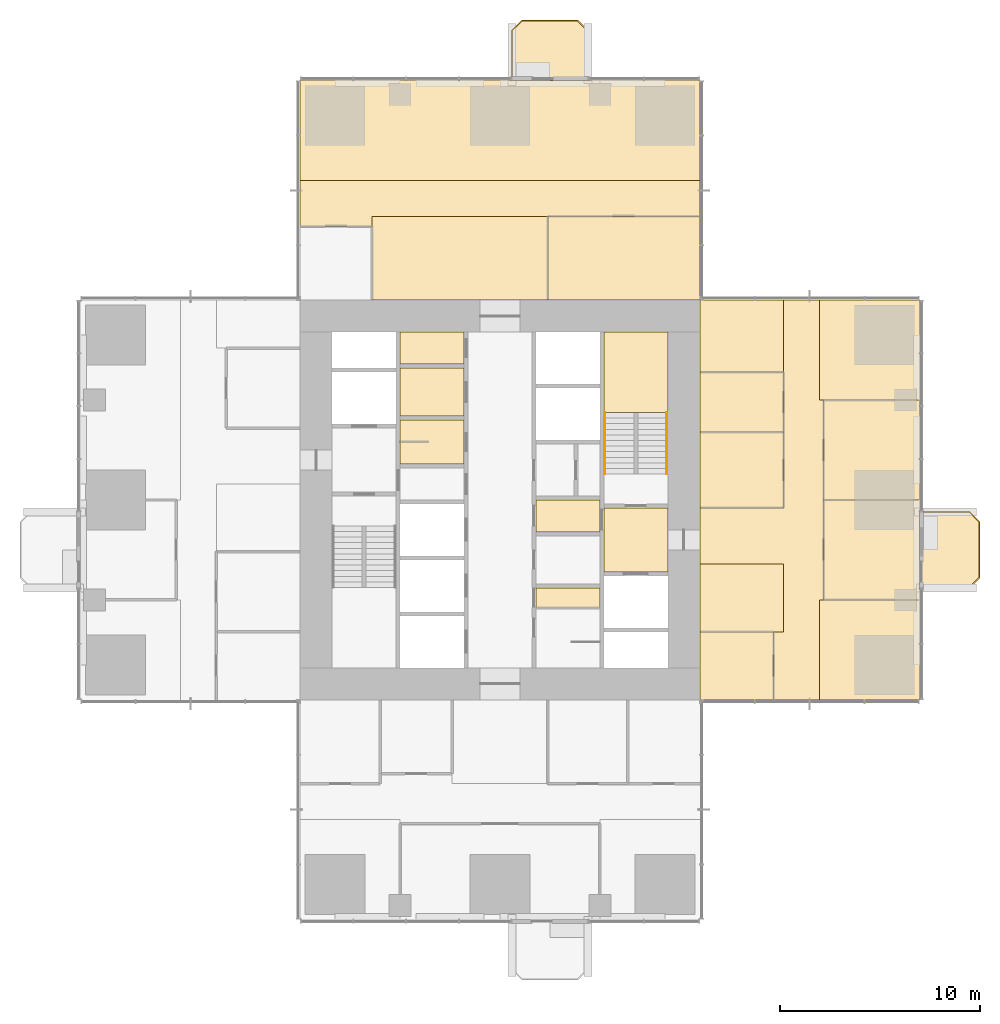
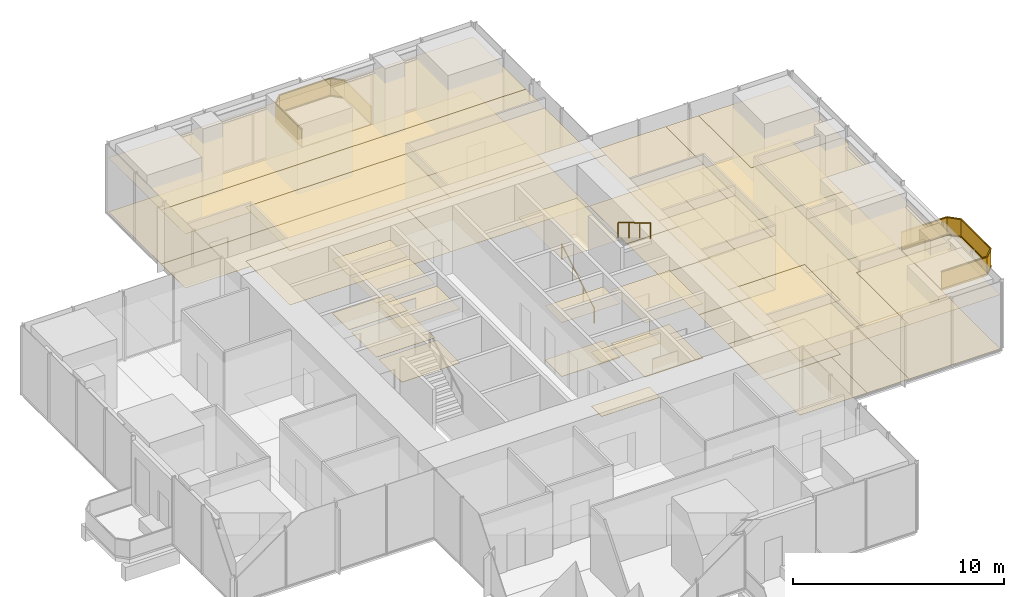
# One storey, part 12 of 13: 43 coverings, 4 railings.
"""IFC4 building model written with IfcOpenShell, lengths in metres."""

from ifc_helpers import new_model, si_unit, direction, frame, origin, origin_2d, place, context, subcontext, project, spatial, polyline, rectangle, circle, outline, extrude, material, layer, layer_set, type_object, element, save


model = new_model("IFC4")

# Units and contexts
model_context = context("Model", 3, precision=1e-05, world=origin(), true_north=direction((0.0, 1.0)))
body_context = subcontext(model_context, "Body", "Model", "MODEL_VIEW")
ifc_project = project(units=[si_unit("LENGTHUNIT", "METRE"), si_unit("AREAUNIT", "SQUARE_METRE"), si_unit("VOLUMEUNIT", "CUBIC_METRE"), si_unit("PLANEANGLEUNIT", "RADIAN"), si_unit("MASSUNIT", "GRAM", prefix="KILO")], contexts=[model_context])

# Site, building, storey
site_placement = place(None, origin())
site = spatial("IfcSite", under=ifc_project, at=site_placement, CompositionType="ELEMENT")
building_placement = place(site_placement, origin())
building = spatial("IfcBuilding", under=site, at=building_placement, Name="Svetlomir Tower", CompositionType="ELEMENT")
storey_placement = place(building_placement, frame((0.0, 0.0, 144.5)))
storey = spatial("IfcBuildingStorey", under=building, at=storey_placement, Name="L34", CompositionType="ELEMENT", Elevation=144.5)

# Railings
ifc_material_1 = material(Name="Bronze anodised aluminium and laminated glass", Category="aluminium")
railing_type_1 = type_object("IfcRailingType", Name="BALCONY GUARD GR1 1100", PredefinedType="GUARDRAIL", material=ifc_material_1)
railing_1_placement = place(storey_placement, frame((42.0, 16.60009765625, 0.0)))
element("IfcRailing", 1, at=railing_1_placement, inside=storey, type_object=railing_type_1, Name="Balcony guard E L34", PredefinedType="GUARDRAIL", context=body_context, shape_type="SweptSolid", body=[
    extrude(rectangle(XDim=0.06005859375, YDim=0.10009765625, at=origin_2d()), frame((0.0, 0.0, 0.050048828125), z_axis=(1.0, 0.0, 0.0), x_axis=(0.0, 1.0, 0.0)), (0.0, 0.0, 1.0), 2.5),
    extrude(rectangle(XDim=0.021484375, YDim=0.960205078125, at=origin_2d()), frame((0.0, 0.0, 0.580078125), z_axis=(1.0, 0.0, 0.0), x_axis=(0.0, 1.0, 0.0)), (0.0, 0.0, 1.0), 2.5),
    extrude(rectangle(XDim=0.06005859375, YDim=0.0400390625, at=origin_2d()), frame((0.0, 0.0, 1.080078125), z_axis=(1.0, 0.0, 0.0), x_axis=(0.0, 1.0, 0.0)), (0.0, 0.0, 1.0), 2.5),
    extrude(rectangle(XDim=0.06005859375, YDim=0.10009765625, at=origin_2d()), frame((2.5, 0.0, 0.050048828125), z_axis=(0.707106781187, 0.707106781187, 0.0), x_axis=(-0.707106781187, 0.707106781187, 0.0)), (0.0, 0.0, 1.0), 0.70703125),
    extrude(rectangle(XDim=0.021484375, YDim=0.960205078125, at=origin_2d()), frame((2.5, 0.0, 0.580078125), z_axis=(0.707106781187, 0.707106781187, 0.0), x_axis=(-0.707106781187, 0.707106781187, 0.0)), (0.0, 0.0, 1.0), 0.70703125),
    extrude(rectangle(XDim=0.06005859375, YDim=0.0400390625, at=origin_2d()), frame((2.5, 0.0, 1.080078125), z_axis=(0.707106781187, 0.707106781187, 0.0), x_axis=(-0.707106781187, 0.707106781187, 0.0)), (0.0, 0.0, 1.0), 0.70703125),
    extrude(rectangle(XDim=0.06005859375, YDim=0.10009765625, at=origin_2d()), frame((3.0, 0.5, 0.050048828125), z_axis=(0.0, 1.0, 0.0), x_axis=(-1.0, 0.0, 0.0)), (0.0, 0.0, 1.0), 2.7998046875),
    extrude(rectangle(XDim=0.021484375, YDim=0.960205078125, at=origin_2d()), frame((3.0, 0.5, 0.580078125), z_axis=(0.0, 1.0, 0.0), x_axis=(-1.0, 0.0, 0.0)), (0.0, 0.0, 1.0), 2.7998046875),
    extrude(rectangle(XDim=0.06005859375, YDim=0.0400390625, at=origin_2d()), frame((3.0, 0.5, 1.080078125), z_axis=(0.0, 1.0, 0.0), x_axis=(-1.0, 0.0, 0.0)), (0.0, 0.0, 1.0), 2.7998046875),
    extrude(rectangle(XDim=0.06005859375, YDim=0.10009765625, at=origin_2d()), frame((3.0, 3.2998046875, 0.050048828125), z_axis=(-0.707106781187, 0.707106781187, 0.0), x_axis=(-0.707106781187, -0.707106781187, 0.0)), (0.0, 0.0, 1.0), 0.70703125),
    extrude(rectangle(XDim=0.021484375, YDim=0.960205078125, at=origin_2d()), frame((3.0, 3.2998046875, 0.580078125), z_axis=(-0.707106781187, 0.707106781187, 0.0), x_axis=(-0.707106781187, -0.707106781187, 0.0)), (0.0, 0.0, 1.0), 0.70703125),
    extrude(rectangle(XDim=0.06005859375, YDim=0.0400390625, at=origin_2d()), frame((3.0, 3.2998046875, 1.080078125), z_axis=(-0.707106781187, 0.707106781187, 0.0), x_axis=(-0.707106781187, -0.707106781187, 0.0)), (0.0, 0.0, 1.0), 0.70703125),
    extrude(rectangle(XDim=0.06005859375, YDim=0.10009765625, at=origin_2d()), frame((2.5, 3.7998046875, 0.050048828125), z_axis=(-1.0, 0.0, 0.0), x_axis=(0.0, -1.0, 0.0)), (0.0, 0.0, 1.0), 2.5),
    extrude(rectangle(XDim=0.021484375, YDim=0.960205078125, at=origin_2d()), frame((2.5, 3.7998046875, 0.580078125), z_axis=(-1.0, 0.0, 0.0), x_axis=(0.0, -1.0, 0.0)), (0.0, 0.0, 1.0), 2.5),
    extrude(rectangle(XDim=0.06005859375, YDim=0.0400390625, at=origin_2d()), frame((2.5, 3.7998046875, 1.080078125), z_axis=(-1.0, 0.0, 0.0), x_axis=(0.0, -1.0, 0.0)), (0.0, 0.0, 1.0), 2.5),
])
railing_2_placement = place(storey_placement, frame((25.39990234375, 42.0, 0.0)))
element("IfcRailing", 2, at=railing_2_placement, inside=storey, type_object=railing_type_1, Name="Balcony guard N L34", PredefinedType="GUARDRAIL", context=body_context, shape_type="SweptSolid", body=[
    extrude(rectangle(XDim=0.06005859375, YDim=0.10009765625, at=origin_2d()), frame((0.0, 0.0, 0.050048828125), z_axis=(0.0, 1.0, 0.0), x_axis=(-1.0, 0.0, 0.0)), (0.0, 0.0, 1.0), 2.5),
    extrude(rectangle(XDim=0.021484375, YDim=0.960205078125, at=origin_2d()), frame((0.0, 0.0, 0.580078125), z_axis=(0.0, 1.0, 0.0), x_axis=(-1.0, 0.0, 0.0)), (0.0, 0.0, 1.0), 2.5),
    extrude(rectangle(XDim=0.06005859375, YDim=0.0400390625, at=origin_2d()), frame((0.0, 0.0, 1.080078125), z_axis=(0.0, 1.0, 0.0), x_axis=(-1.0, 0.0, 0.0)), (0.0, 0.0, 1.0), 2.5),
    extrude(rectangle(XDim=0.06005859375, YDim=0.10009765625, at=origin_2d()), frame((0.0, 2.5, 0.050048828125), z_axis=(-0.707106781187, 0.707106781187, 0.0), x_axis=(-0.707106781187, -0.707106781187, 0.0)), (0.0, 0.0, 1.0), 0.70703125),
    extrude(rectangle(XDim=0.021484375, YDim=0.960205078125, at=origin_2d()), frame((0.0, 2.5, 0.580078125), z_axis=(-0.707106781187, 0.707106781187, 0.0), x_axis=(-0.707106781187, -0.707106781187, 0.0)), (0.0, 0.0, 1.0), 0.70703125),
    extrude(rectangle(XDim=0.06005859375, YDim=0.0400390625, at=origin_2d()), frame((0.0, 2.5, 1.080078125), z_axis=(-0.707106781187, 0.707106781187, 0.0), x_axis=(-0.707106781187, -0.707106781187, 0.0)), (0.0, 0.0, 1.0), 0.70703125),
    extrude(rectangle(XDim=0.06005859375, YDim=0.10009765625, at=origin_2d()), frame((-0.5, 3.0, 0.050048828125), z_axis=(-1.0, 0.0, 0.0), x_axis=(0.0, -1.0, 0.0)), (0.0, 0.0, 1.0), 2.7998046875),
    extrude(rectangle(XDim=0.021484375, YDim=0.960205078125, at=origin_2d()), frame((-0.5, 3.0, 0.580078125), z_axis=(-1.0, 0.0, 0.0), x_axis=(0.0, -1.0, 0.0)), (0.0, 0.0, 1.0), 2.7998046875),
    extrude(rectangle(XDim=0.06005859375, YDim=0.0400390625, at=origin_2d()), frame((-0.5, 3.0, 1.080078125), z_axis=(-1.0, 0.0, 0.0), x_axis=(0.0, -1.0, 0.0)), (0.0, 0.0, 1.0), 2.7998046875),
    extrude(rectangle(XDim=0.06005859375, YDim=0.10009765625, at=origin_2d()), frame((-3.2998046875, 3.0, 0.050048828125), z_axis=(-0.707106781187, -0.707106781187, 0.0), x_axis=(0.707106781187, -0.707106781187, 0.0)), (0.0, 0.0, 1.0), 0.70703125),
    extrude(rectangle(XDim=0.021484375, YDim=0.960205078125, at=origin_2d()), frame((-3.2998046875, 3.0, 0.580078125), z_axis=(-0.707106781187, -0.707106781187, 0.0), x_axis=(0.707106781187, -0.707106781187, 0.0)), (0.0, 0.0, 1.0), 0.70703125),
    extrude(rectangle(XDim=0.06005859375, YDim=0.0400390625, at=origin_2d()), frame((-3.2998046875, 3.0, 1.080078125), z_axis=(-0.707106781187, -0.707106781187, 0.0), x_axis=(0.707106781187, -0.707106781187, 0.0)), (0.0, 0.0, 1.0), 0.70703125),
    extrude(rectangle(XDim=0.06005859375, YDim=0.10009765625, at=origin_2d()), frame((-3.7998046875, 2.5, 0.050048828125), z_axis=(0.0, -1.0, 0.0), x_axis=(1.0, 0.0, 0.0)), (0.0, 0.0, 1.0), 2.5),
    extrude(rectangle(XDim=0.021484375, YDim=0.960205078125, at=origin_2d()), frame((-3.7998046875, 2.5, 0.580078125), z_axis=(0.0, -1.0, 0.0), x_axis=(1.0, 0.0, 0.0)), (0.0, 0.0, 1.0), 2.5),
    extrude(rectangle(XDim=0.06005859375, YDim=0.0400390625, at=origin_2d()), frame((-3.7998046875, 2.5, 1.080078125), z_axis=(0.0, -1.0, 0.0), x_axis=(1.0, 0.0, 0.0)), (0.0, 0.0, 1.0), 2.5),
])

# Coverings
ifc_material_2 = material(Name="Granite paving slabs on pedestals", Category="masonry")
ifc_layer_1 = layer(ifc_material_2, 0.0400390625)
ifc_layer_set_1 = layer_set([ifc_layer_1], Name="Granite paving slabs on pedestals")
covering_type_1 = type_object("IfcCoveringType", Name="BALCONY PAVING 40", PredefinedType="USERDEFINED", material=ifc_layer_set_1)
covering_1_placement = place(storey_placement, origin())
element("IfcCovering", 3, at=covering_1_placement, inside=storey, type_object=covering_type_1, Name="Balcony paving E L34", ObjectType="BALCONY PAVING", PredefinedType="USERDEFINED", context=body_context, shape_type="SweptSolid", body=[
    extrude(outline(polyline([(42.0, 16.60009765625), (44.5, 16.60009765625), (45.0, 17.10009765625), (45.0, 19.89990234375), (44.5, 20.39990234375), (42.0, 20.39990234375), (42.0, 16.60009765625)])), origin(), (0.0, 0.0, 1.0), 0.0400390625),
])
covering_2_placement = place(storey_placement, origin())
element("IfcCovering", 4, at=covering_2_placement, inside=storey, type_object=covering_type_1, Name="Balcony paving N L34", ObjectType="BALCONY PAVING", PredefinedType="USERDEFINED", context=body_context, shape_type="SweptSolid", body=[
    extrude(outline(polyline([(21.60009765625, 42.0), (25.39990234375, 42.0), (25.39990234375, 44.5), (24.89990234375, 45.0), (22.10009765625, 45.0), (21.60009765625, 44.5), (21.60009765625, 42.0)])), origin(), (0.0, 0.0, 1.0), 0.0400390625),
])
ifc_material_3 = material(Name="Carpet tile", Category="textile")
ifc_layer_2 = layer(ifc_material_3, 0.010009765625)
ifc_layer_set_2 = layer_set([ifc_layer_2], Name="Carpet tile")
covering_type_2 = type_object("IfcCoveringType", Name="CARPET TILE FLOOR 10", PredefinedType="FLOORING", material=ifc_layer_set_2)
covering_3_placement = place(storey_placement, origin())
element("IfcCovering", 5, at=covering_3_placement, inside=storey, type_object=covering_type_2, Name="Floor finish L34-21", PredefinedType="FLOORING", context=body_context, shape_type="SweptSolid", body=[
    extrude(outline(polyline([(31.0, 11.0), (34.699951171875, 11.0), (34.699951171875, 14.39990234375), (31.0, 14.39990234375), (31.0, 11.0)])), origin(), (0.0, 0.0, 1.0), 0.010009765625),
])
covering_4_placement = place(storey_placement, origin())
element("IfcCovering", 6, at=covering_4_placement, inside=storey, type_object=covering_type_2, Name="Floor finish L34-22", PredefinedType="FLOORING", context=body_context, shape_type="SweptSolid", body=[
    extrude(outline(polyline([(31.0, 20.60009765625), (35.199951171875, 20.60009765625), (35.199951171875, 24.39990234375), (31.0, 24.39990234375), (31.0, 20.60009765625)])), origin(), (0.0, 0.0, 1.0), 0.010009765625),
])
covering_5_placement = place(storey_placement, origin())
element("IfcCovering", 7, at=covering_5_placement, inside=storey, type_object=covering_type_2, Name="Floor finish L34-23", PredefinedType="FLOORING", context=body_context, shape_type="SweptSolid", body=[
    extrude(outline(polyline([(31.0, 24.39990234375), (35.199951171875, 24.39990234375), (35.199951171875, 27.39990234375), (31.0, 27.39990234375), (31.0, 24.39990234375)])), origin(), (0.0, 0.0, 1.0), 0.010009765625),
])
covering_6_placement = place(storey_placement, origin())
element("IfcCovering", 8, at=covering_6_placement, inside=storey, type_object=covering_type_2, Name="Floor finish L34-24", PredefinedType="FLOORING", context=body_context, shape_type="SweptSolid", body=[
    extrude(outline(polyline([(37.199951171875, 16.0), (42.0, 16.0), (42.0, 21.0), (37.199951171875, 21.0), (37.199951171875, 16.0)])), origin(), (0.0, 0.0, 1.0), 0.010009765625),
])
covering_7_placement = place(storey_placement, origin())
element("IfcCovering", 9, at=covering_7_placement, inside=storey, type_object=covering_type_2, Name="Floor finish L34-25", PredefinedType="FLOORING", context=body_context, shape_type="SweptSolid", body=[
    extrude(outline(polyline([(37.199951171875, 21.0), (42.0, 21.0), (42.0, 26.0), (37.199951171875, 26.0), (37.199951171875, 21.0)])), origin(), (0.0, 0.0, 1.0), 0.010009765625),
])
covering_8_placement = place(storey_placement, origin())
element("IfcCovering", 10, at=covering_8_placement, inside=storey, type_object=covering_type_2, Name="Floor finish L34-27", PredefinedType="FLOORING", context=body_context, shape_type="SweptSolid", body=[
    extrude(outline(polyline([(23.39990234375, 31.0), (31.0, 31.0), (31.0, 35.199951171875), (23.39990234375, 35.199951171875), (23.39990234375, 31.0)])), origin(), (0.0, 0.0, 1.0), 0.010009765625),
])
covering_9_placement = place(storey_placement, origin())
element("IfcCovering", 11, at=covering_9_placement, inside=storey, type_object=covering_type_2, Name="Floor finish L34-34", PredefinedType="FLOORING", context=body_context, shape_type="SweptSolid", body=[
    extrude(outline(polyline([(11.0, 34.699951171875), (11.0, 37.0), (31.0, 37.0), (31.0, 35.199951171875), (14.60009765625, 35.199951171875), (14.60009765625, 34.699951171875), (11.0, 34.699951171875)])), origin(), (0.0, 0.0, 1.0), 0.010009765625),
])
covering_10_placement = place(storey_placement, origin())
element("IfcCovering", 12, at=covering_10_placement, inside=storey, type_object=covering_type_2, Name="Floor finish L34-35", PredefinedType="FLOORING", context=body_context, shape_type="SweptSolid", body=[
    extrude(outline(polyline([(34.699951171875, 14.39990234375), (35.199951171875, 14.39990234375), (35.199951171875, 17.800048828125), (31.0, 17.800048828125), (31.0, 20.60009765625), (35.199951171875, 20.60009765625), (35.199951171875, 31.0), (37.0, 31.0), (37.0, 26.0), (37.199951171875, 26.0), (37.199951171875, 16.0), (37.0, 16.0), (37.0, 11.0), (34.699951171875, 11.0), (34.699951171875, 14.39990234375)])), origin(), (0.0, 0.0, 1.0), 0.010009765625),
])
covering_11_placement = place(storey_placement, origin())
element("IfcCovering", 13, at=covering_11_placement, inside=storey, type_object=covering_type_2, Name="Floor finish L34-39", PredefinedType="FLOORING", context=body_context, shape_type="SweptSolid", body=[
    extrude(outline(polyline([(37.0, 16.0), (42.0, 16.0), (42.0, 11.0), (37.0, 11.0), (37.0, 16.0)])), origin(), (0.0, 0.0, 1.0), 0.010009765625),
])
covering_12_placement = place(storey_placement, origin())
element("IfcCovering", 14, at=covering_12_placement, inside=storey, type_object=covering_type_2, Name="Floor finish L34-40", PredefinedType="FLOORING", context=body_context, shape_type="SweptSolid", body=[
    extrude(outline(polyline([(31.0, 17.800048828125), (35.199951171875, 17.800048828125), (35.199951171875, 14.39990234375), (31.0, 14.39990234375), (31.0, 17.800048828125)])), origin(), (0.0, 0.0, 1.0), 0.010009765625),
])
covering_13_placement = place(storey_placement, origin())
element("IfcCovering", 15, at=covering_13_placement, inside=storey, type_object=covering_type_2, Name="Floor finish L34-41", PredefinedType="FLOORING", context=body_context, shape_type="SweptSolid", body=[
    extrude(outline(polyline([(31.0, 31.0), (35.199951171875, 31.0), (35.199951171875, 27.39990234375), (31.0, 27.39990234375), (31.0, 31.0)])), origin(), (0.0, 0.0, 1.0), 0.010009765625),
])
covering_14_placement = place(storey_placement, origin())
element("IfcCovering", 16, at=covering_14_placement, inside=storey, type_object=covering_type_2, Name="Floor finish L34-42", PredefinedType="FLOORING", context=body_context, shape_type="SweptSolid", body=[
    extrude(outline(polyline([(42.0, 26.0), (37.0, 26.0), (37.0, 31.0), (42.0, 31.0), (42.0, 26.0)])), origin(), (0.0, 0.0, 1.0), 0.010009765625),
])
covering_15_placement = place(storey_placement, origin())
element("IfcCovering", 17, at=covering_15_placement, inside=storey, type_object=covering_type_2, Name="Floor finish L34-43", PredefinedType="FLOORING", context=body_context, shape_type="SweptSolid", body=[
    extrude(outline(polyline([(31.0, 37.0), (11.0, 37.0), (11.0, 42.0), (31.0, 42.0), (31.0, 37.0)])), origin(), (0.0, 0.0, 1.0), 0.010009765625),
])
covering_16_placement = place(storey_placement, origin())
element("IfcCovering", 18, at=covering_16_placement, inside=storey, type_object=covering_type_2, Name="Floor finish L34-44", PredefinedType="FLOORING", context=body_context, shape_type="SweptSolid", body=[
    extrude(outline(polyline([(14.60009765625, 31.0), (14.60009765625, 35.199951171875), (23.39990234375, 35.199951171875), (23.39990234375, 31.0), (14.60009765625, 31.0)])), origin(), (0.0, 0.0, 1.0), 0.010009765625),
])
ifc_material_4 = material(Name="Ceramic floor tile", Category="ceramic")
ifc_layer_3 = layer(ifc_material_4, 0.014892578125)
ifc_layer_set_3 = layer_set([ifc_layer_3], Name="Ceramic floor tile")
covering_type_3 = type_object("IfcCoveringType", Name="CERAMIC TILE FLOOR 15", PredefinedType="FLOORING", material=ifc_layer_set_3)
covering_17_placement = place(storey_placement, origin())
element("IfcCovering", 19, at=covering_17_placement, inside=storey, type_object=covering_type_3, Name="Floor finish L34-04", PredefinedType="FLOORING", context=body_context, shape_type="SweptSolid", body=[
    extrude(outline(polyline([(16.0, 22.800048828125), (19.199951171875, 22.800048828125), (19.199951171875, 25.0), (16.0, 25.0), (16.0, 22.800048828125)])), origin(), (0.0, 0.0, 1.0), 0.014892578125),
])
covering_18_placement = place(storey_placement, origin())
element("IfcCovering", 20, at=covering_18_placement, inside=storey, type_object=covering_type_3, Name="Floor finish L34-05", PredefinedType="FLOORING", context=body_context, shape_type="SweptSolid", body=[
    extrude(outline(polyline([(16.0, 25.199951171875), (19.199951171875, 25.199951171875), (19.199951171875, 27.60009765625), (16.0, 27.60009765625), (16.0, 25.199951171875)])), origin(), (0.0, 0.0, 1.0), 0.014892578125),
])
covering_19_placement = place(storey_placement, origin())
element("IfcCovering", 21, at=covering_19_placement, inside=storey, type_object=covering_type_3, Name="Floor finish L34-08", PredefinedType="FLOORING", context=body_context, shape_type="SweptSolid", body=[
    extrude(outline(polyline([(22.800048828125, 15.60009765625), (26.0, 15.60009765625), (26.0, 16.60009765625), (22.800048828125, 16.60009765625), (22.800048828125, 15.60009765625)])), origin(), (0.0, 0.0, 1.0), 0.014892578125),
])

# Railings
ifc_material_5 = material(Name="Stainless steel", Category="steel")
railing_type_2 = type_object("IfcRailingType", Name="HANDRAIL HR1 900", PredefinedType="HANDRAIL", material=ifc_material_5)
railing_3_placement = place(storey_placement, frame((26.25, 22.300048828125, 0.166748046875)))
element("IfcRailing", 22, at=railing_3_placement, inside=storey, type_object=railing_type_2, Name="Handrail S2 flight 1 L34", PredefinedType="HANDRAIL", context=body_context, shape_type="SweptSolid", body=[
    extrude(circle(Radius=0.02392578125, at=origin_2d()), frame((0.0, 0.0, 0.8759765625), z_axis=(0.0, 0.859290745958, 0.51148745235), x_axis=(-1.0, 0.0, 0.0)), (0.0, 0.0, 1.0), 3.584228515625),
    extrude(circle(Radius=0.02099609375, at=origin_2d()), origin(), (0.0, 0.0, 1.0), 0.851806640625),
    extrude(circle(Radius=0.02099609375, at=origin_2d()), frame((0.0, 1.026611328125, 0.611083984375)), (0.0, 0.0, 1.0), 0.851806640625),
    extrude(circle(Radius=0.02099609375, at=origin_2d()), frame((0.0, 2.05322265625, 1.22216796875)), (0.0, 0.0, 1.0), 0.851806640625),
    extrude(circle(Radius=0.02099609375, at=origin_2d()), frame((0.0, 3.079833984375, 1.833251953125)), (0.0, 0.0, 1.0), 0.851806640625),
])
railing_4_placement = place(storey_placement, frame((29.35009765625, 25.3798828125, 2.166748046875)))
element("IfcRailing", 23, at=railing_4_placement, inside=storey, type_object=railing_type_2, Name="Handrail S2 flight 2 L34", PredefinedType="HANDRAIL", context=body_context, shape_type="SweptSolid", body=[
    extrude(circle(Radius=0.02392578125, at=origin_2d()), frame((0.0, 0.0, 0.8759765625), z_axis=(0.0, -0.859290745958, 0.51148745235), x_axis=(1.0, 0.0, 0.0)), (0.0, 0.0, 1.0), 3.584228515625),
    extrude(circle(Radius=0.02099609375, at=origin_2d()), origin(), (0.0, 0.0, 1.0), 0.851806640625),
    extrude(circle(Radius=0.02099609375, at=origin_2d()), frame((0.0, -1.026611328125, 0.611083984375)), (0.0, 0.0, 1.0), 0.851806640625),
    extrude(circle(Radius=0.02099609375, at=origin_2d()), frame((0.0, -2.05322265625, 1.22216796875)), (0.0, 0.0, 1.0), 0.851806640625),
    extrude(circle(Radius=0.02099609375, at=origin_2d()), frame((0.0, -3.079833984375, 1.833251953125)), (0.0, 0.0, 1.0), 0.851806640625),
])

# Coverings
ifc_material_6 = material(Name="Moisture resistant plasterboard ceiling", Category="gypsum")
ifc_layer_4 = layer(ifc_material_6, 0.012451171875)
ifc_layer_set_4 = layer_set([ifc_layer_4], Name="Moisture resistant plasterboard ceiling")
covering_type_4 = type_object("IfcCoveringType", Name="MOISTURE RESISTANT CEILING 12.5", PredefinedType="CEILING", material=ifc_layer_set_4)
covering_20_placement = place(storey_placement, frame((0.0, 0.0, 3.137451171875)))
element("IfcCovering", 24, at=covering_20_placement, inside=storey, type_object=covering_type_4, Name="Ceiling L34-04", PredefinedType="CEILING", context=body_context, shape_type="SweptSolid", body=[
    extrude(outline(polyline([(16.0, 22.800048828125), (19.199951171875, 22.800048828125), (19.199951171875, 25.0), (16.0, 25.0), (16.0, 22.800048828125)])), origin(), (0.0, 0.0, 1.0), 0.012451171875),
])
covering_21_placement = place(storey_placement, frame((0.0, 0.0, 3.137451171875)))
element("IfcCovering", 25, at=covering_21_placement, inside=storey, type_object=covering_type_4, Name="Ceiling L34-05", PredefinedType="CEILING", context=body_context, shape_type="SweptSolid", body=[
    extrude(outline(polyline([(16.0, 25.199951171875), (19.199951171875, 25.199951171875), (19.199951171875, 27.60009765625), (16.0, 27.60009765625), (16.0, 25.199951171875)])), origin(), (0.0, 0.0, 1.0), 0.012451171875),
])
covering_22_placement = place(storey_placement, frame((0.0, 0.0, 3.137451171875)))
element("IfcCovering", 26, at=covering_22_placement, inside=storey, type_object=covering_type_4, Name="Ceiling L34-08", PredefinedType="CEILING", context=body_context, shape_type="SweptSolid", body=[
    extrude(outline(polyline([(22.800048828125, 15.60009765625), (26.0, 15.60009765625), (26.0, 16.60009765625), (22.800048828125, 16.60009765625), (22.800048828125, 15.60009765625)])), origin(), (0.0, 0.0, 1.0), 0.012451171875),
])
ifc_material_7 = material(Name="Gypsum plasterboard ceiling", Category="gypsum")
ifc_layer_5 = layer(ifc_material_7, 0.014892578125)
ifc_layer_set_5 = layer_set([ifc_layer_5], Name="Gypsum plasterboard ceiling")
covering_type_5 = type_object("IfcCoveringType", Name="PLASTERBOARD CEILING 15", PredefinedType="CEILING", material=ifc_layer_set_5)
covering_23_placement = place(storey_placement, frame((0.0, 0.0, 3.135009765625)))
element("IfcCovering", 27, at=covering_23_placement, inside=storey, type_object=covering_type_5, Name="Ceiling L34-06", PredefinedType="CEILING", context=body_context, shape_type="SweptSolid", body=[
    extrude(outline(polyline([(16.0, 27.800048828125), (19.199951171875, 27.800048828125), (19.199951171875, 29.39990234375), (16.0, 29.39990234375), (16.0, 27.800048828125)])), origin(), (0.0, 0.0, 1.0), 0.014892578125),
])
covering_24_placement = place(storey_placement, frame((0.0, 0.0, 3.135009765625)))
element("IfcCovering", 28, at=covering_24_placement, inside=storey, type_object=covering_type_5, Name="Ceiling L34-11", PredefinedType="CEILING", context=body_context, shape_type="SweptSolid", body=[
    extrude(outline(polyline([(22.800048828125, 19.39990234375), (26.0, 19.39990234375), (26.0, 21.0), (22.800048828125, 21.0), (22.800048828125, 19.39990234375)])), origin(), (0.0, 0.0, 1.0), 0.014892578125),
])
covering_25_placement = place(storey_placement, frame((0.0, 0.0, 3.135009765625)))
element("IfcCovering", 29, at=covering_25_placement, inside=storey, type_object=covering_type_5, Name="Ceiling L34-12", PredefinedType="CEILING", context=body_context, shape_type="SweptSolid", body=[
    extrude(outline(polyline([(26.199951171875, 17.39990234375), (29.39990234375, 17.39990234375), (29.39990234375, 20.60009765625), (26.199951171875, 20.60009765625), (26.199951171875, 17.39990234375)])), origin(), (0.0, 0.0, 1.0), 0.014892578125),
])
ifc_material_8 = material(Name="Studded rubber floor finish", Category="rubber")
ifc_layer_6 = layer(ifc_material_8, 0.006103515625)
ifc_layer_set_6 = layer_set([ifc_layer_6], Name="Studded rubber floor finish")
covering_type_6 = type_object("IfcCoveringType", Name="RUBBER LANDING FINISH 6", PredefinedType="FLOORING", material=ifc_layer_set_6)
covering_26_placement = place(storey_placement, frame((0.0, 0.0, 2.0)))
element("IfcCovering", 30, at=covering_26_placement, inside=storey, type_object=covering_type_6, Name="Stair S2 landing finish L34", PredefinedType="FLOORING", context=body_context, shape_type="SweptSolid", body=[
    extrude(outline(polyline([(26.199951171875, 25.3798828125), (29.39990234375, 25.3798828125), (29.39990234375, 29.39990234375), (26.199951171875, 29.39990234375), (26.199951171875, 25.3798828125)])), origin(), (0.0, 0.0, 1.0), 0.006103515625),
])
ifc_material_9 = material(Name="Mineral fibre ceiling tile", Category="mineral")
ifc_layer_7 = layer(ifc_material_9, 0.02001953125)
ifc_layer_set_7 = layer_set([ifc_layer_7], Name="Mineral fibre ceiling tile")
covering_type_7 = type_object("IfcCoveringType", Name="SUSPENDED CEILING 20", PredefinedType="CEILING", material=ifc_layer_set_7)
covering_27_placement = place(storey_placement, frame((0.0, 0.0, 3.1298828125)))
element("IfcCovering", 31, at=covering_27_placement, inside=storey, type_object=covering_type_7, Name="Ceiling L34-21", PredefinedType="CEILING", context=body_context, shape_type="SweptSolid", body=[
    extrude(outline(polyline([(31.0, 11.0), (34.699951171875, 11.0), (34.699951171875, 14.39990234375), (31.0, 14.39990234375), (31.0, 11.0)])), origin(), (0.0, 0.0, 1.0), 0.02001953125),
])
covering_28_placement = place(storey_placement, frame((0.0, 0.0, 3.1298828125)))
element("IfcCovering", 32, at=covering_28_placement, inside=storey, type_object=covering_type_7, Name="Ceiling L34-22", PredefinedType="CEILING", context=body_context, shape_type="SweptSolid", body=[
    extrude(outline(polyline([(31.0, 20.60009765625), (35.199951171875, 20.60009765625), (35.199951171875, 24.39990234375), (31.0, 24.39990234375), (31.0, 20.60009765625)])), origin(), (0.0, 0.0, 1.0), 0.02001953125),
])
covering_29_placement = place(storey_placement, frame((0.0, 0.0, 3.1298828125)))
element("IfcCovering", 33, at=covering_29_placement, inside=storey, type_object=covering_type_7, Name="Ceiling L34-23", PredefinedType="CEILING", context=body_context, shape_type="SweptSolid", body=[
    extrude(outline(polyline([(31.0, 24.39990234375), (35.199951171875, 24.39990234375), (35.199951171875, 27.39990234375), (31.0, 27.39990234375), (31.0, 24.39990234375)])), origin(), (0.0, 0.0, 1.0), 0.02001953125),
])
covering_30_placement = place(storey_placement, frame((0.0, 0.0, 3.1298828125)))
element("IfcCovering", 34, at=covering_30_placement, inside=storey, type_object=covering_type_7, Name="Ceiling L34-24", PredefinedType="CEILING", context=body_context, shape_type="SweptSolid", body=[
    extrude(outline(polyline([(37.199951171875, 16.0), (42.0, 16.0), (42.0, 21.0), (37.199951171875, 21.0), (37.199951171875, 16.0)])), origin(), (0.0, 0.0, 1.0), 0.02001953125),
])
covering_31_placement = place(storey_placement, frame((0.0, 0.0, 3.1298828125)))
element("IfcCovering", 35, at=covering_31_placement, inside=storey, type_object=covering_type_7, Name="Ceiling L34-25", PredefinedType="CEILING", context=body_context, shape_type="SweptSolid", body=[
    extrude(outline(polyline([(37.199951171875, 21.0), (42.0, 21.0), (42.0, 26.0), (37.199951171875, 26.0), (37.199951171875, 21.0)])), origin(), (0.0, 0.0, 1.0), 0.02001953125),
])
covering_32_placement = place(storey_placement, frame((0.0, 0.0, 3.1298828125)))
element("IfcCovering", 36, at=covering_32_placement, inside=storey, type_object=covering_type_7, Name="Ceiling L34-27", PredefinedType="CEILING", context=body_context, shape_type="SweptSolid", body=[
    extrude(outline(polyline([(23.39990234375, 31.0), (31.0, 31.0), (31.0, 35.199951171875), (23.39990234375, 35.199951171875), (23.39990234375, 31.0)])), origin(), (0.0, 0.0, 1.0), 0.02001953125),
])
covering_33_placement = place(storey_placement, frame((0.0, 0.0, 3.1298828125)))
element("IfcCovering", 37, at=covering_33_placement, inside=storey, type_object=covering_type_7, Name="Ceiling L34-34", PredefinedType="CEILING", context=body_context, shape_type="SweptSolid", body=[
    extrude(outline(polyline([(11.0, 34.699951171875), (11.0, 37.0), (31.0, 37.0), (31.0, 35.199951171875), (14.60009765625, 35.199951171875), (14.60009765625, 34.699951171875), (11.0, 34.699951171875)])), origin(), (0.0, 0.0, 1.0), 0.02001953125),
])
covering_34_placement = place(storey_placement, frame((0.0, 0.0, 3.1298828125)))
element("IfcCovering", 38, at=covering_34_placement, inside=storey, type_object=covering_type_7, Name="Ceiling L34-35", PredefinedType="CEILING", context=body_context, shape_type="SweptSolid", body=[
    extrude(outline(polyline([(34.699951171875, 14.39990234375), (35.199951171875, 14.39990234375), (35.199951171875, 17.800048828125), (31.0, 17.800048828125), (31.0, 20.60009765625), (35.199951171875, 20.60009765625), (35.199951171875, 31.0), (37.0, 31.0), (37.0, 26.0), (37.199951171875, 26.0), (37.199951171875, 16.0), (37.0, 16.0), (37.0, 11.0), (34.699951171875, 11.0), (34.699951171875, 14.39990234375)])), origin(), (0.0, 0.0, 1.0), 0.02001953125),
])
covering_35_placement = place(storey_placement, frame((0.0, 0.0, 3.1298828125)))
element("IfcCovering", 39, at=covering_35_placement, inside=storey, type_object=covering_type_7, Name="Ceiling L34-39", PredefinedType="CEILING", context=body_context, shape_type="SweptSolid", body=[
    extrude(outline(polyline([(37.0, 16.0), (42.0, 16.0), (42.0, 11.0), (37.0, 11.0), (37.0, 16.0)])), origin(), (0.0, 0.0, 1.0), 0.02001953125),
])
covering_36_placement = place(storey_placement, frame((0.0, 0.0, 3.1298828125)))
element("IfcCovering", 40, at=covering_36_placement, inside=storey, type_object=covering_type_7, Name="Ceiling L34-40", PredefinedType="CEILING", context=body_context, shape_type="SweptSolid", body=[
    extrude(outline(polyline([(31.0, 17.800048828125), (35.199951171875, 17.800048828125), (35.199951171875, 14.39990234375), (31.0, 14.39990234375), (31.0, 17.800048828125)])), origin(), (0.0, 0.0, 1.0), 0.02001953125),
])
covering_37_placement = place(storey_placement, frame((0.0, 0.0, 3.1298828125)))
element("IfcCovering", 41, at=covering_37_placement, inside=storey, type_object=covering_type_7, Name="Ceiling L34-41", PredefinedType="CEILING", context=body_context, shape_type="SweptSolid", body=[
    extrude(outline(polyline([(31.0, 31.0), (35.199951171875, 31.0), (35.199951171875, 27.39990234375), (31.0, 27.39990234375), (31.0, 31.0)])), origin(), (0.0, 0.0, 1.0), 0.02001953125),
])
covering_38_placement = place(storey_placement, frame((0.0, 0.0, 3.1298828125)))
element("IfcCovering", 42, at=covering_38_placement, inside=storey, type_object=covering_type_7, Name="Ceiling L34-42", PredefinedType="CEILING", context=body_context, shape_type="SweptSolid", body=[
    extrude(outline(polyline([(42.0, 26.0), (37.0, 26.0), (37.0, 31.0), (42.0, 31.0), (42.0, 26.0)])), origin(), (0.0, 0.0, 1.0), 0.02001953125),
])
covering_39_placement = place(storey_placement, frame((0.0, 0.0, 3.1298828125)))
element("IfcCovering", 43, at=covering_39_placement, inside=storey, type_object=covering_type_7, Name="Ceiling L34-43", PredefinedType="CEILING", context=body_context, shape_type="SweptSolid", body=[
    extrude(outline(polyline([(31.0, 37.0), (11.0, 37.0), (11.0, 42.0), (31.0, 42.0), (31.0, 37.0)])), origin(), (0.0, 0.0, 1.0), 0.02001953125),
])
covering_40_placement = place(storey_placement, frame((0.0, 0.0, 3.1298828125)))
element("IfcCovering", 44, at=covering_40_placement, inside=storey, type_object=covering_type_7, Name="Ceiling L34-44", PredefinedType="CEILING", context=body_context, shape_type="SweptSolid", body=[
    extrude(outline(polyline([(14.60009765625, 31.0), (14.60009765625, 35.199951171875), (23.39990234375, 35.199951171875), (23.39990234375, 31.0), (14.60009765625, 31.0)])), origin(), (0.0, 0.0, 1.0), 0.02001953125),
])
ifc_material_10 = material(Name="Bronze-aggregate terrazzo", Category="stone")
ifc_layer_8 = layer(ifc_material_10, 0.030029296875)
ifc_layer_set_8 = layer_set([ifc_layer_8], Name="Bronze-aggregate terrazzo")
covering_type_8 = type_object("IfcCoveringType", Name="TERRAZZO FLOOR 30", PredefinedType="FLOORING", material=ifc_layer_set_8)
covering_41_placement = place(storey_placement, origin())
element("IfcCovering", 45, at=covering_41_placement, inside=storey, type_object=covering_type_8, Name="Floor finish L34-06", PredefinedType="FLOORING", context=body_context, shape_type="SweptSolid", body=[
    extrude(outline(polyline([(16.0, 27.800048828125), (19.199951171875, 27.800048828125), (19.199951171875, 29.39990234375), (16.0, 29.39990234375), (16.0, 27.800048828125)])), origin(), (0.0, 0.0, 1.0), 0.030029296875),
])
covering_42_placement = place(storey_placement, origin())
element("IfcCovering", 46, at=covering_42_placement, inside=storey, type_object=covering_type_8, Name="Floor finish L34-11", PredefinedType="FLOORING", context=body_context, shape_type="SweptSolid", body=[
    extrude(outline(polyline([(22.800048828125, 19.39990234375), (26.0, 19.39990234375), (26.0, 21.0), (22.800048828125, 21.0), (22.800048828125, 19.39990234375)])), origin(), (0.0, 0.0, 1.0), 0.030029296875),
])
covering_43_placement = place(storey_placement, origin())
element("IfcCovering", 47, at=covering_43_placement, inside=storey, type_object=covering_type_8, Name="Floor finish L34-12", PredefinedType="FLOORING", context=body_context, shape_type="SweptSolid", body=[
    extrude(outline(polyline([(26.199951171875, 17.39990234375), (29.39990234375, 17.39990234375), (29.39990234375, 20.60009765625), (26.199951171875, 20.60009765625), (26.199951171875, 17.39990234375)])), origin(), (0.0, 0.0, 1.0), 0.030029296875),
])

save(model, "model.ifc")
